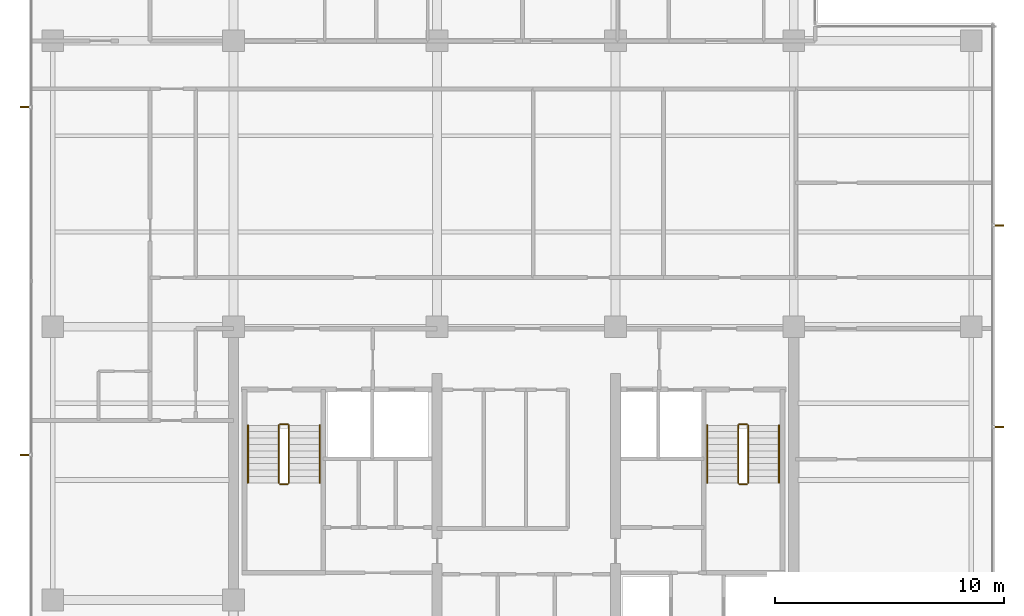
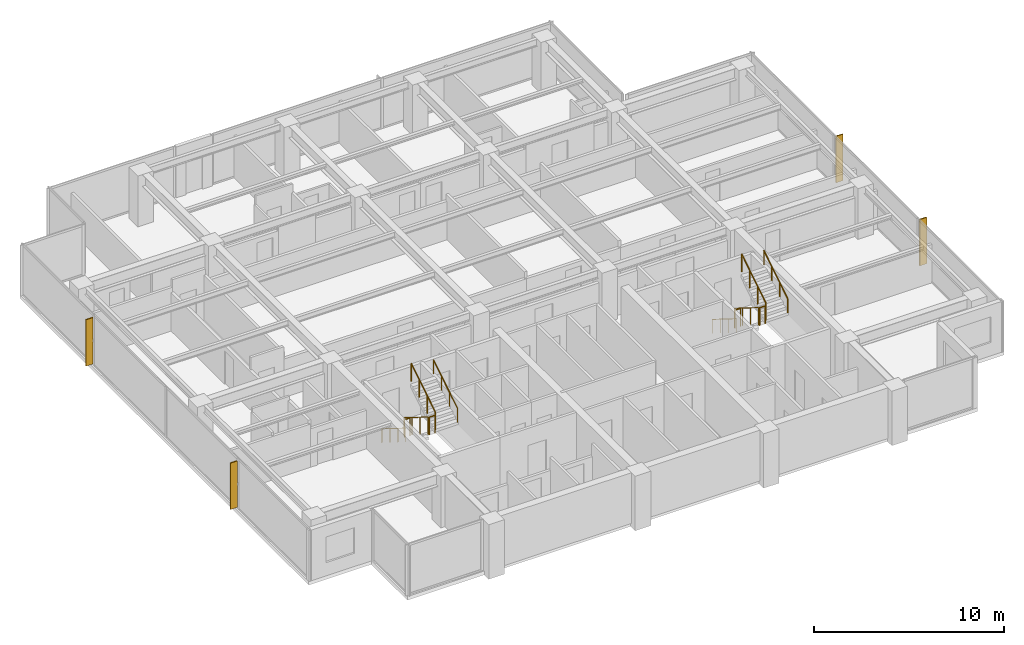
# One storey, part 13 of 14: 12 railings, 4 shading devices.
"""IFC4 building model written with IfcOpenShell, lengths in metres."""

from ifc_helpers import new_model, si_unit, direction, frame, origin, origin_2d, place, context, subcontext, project, spatial, polyline, circle, outline, extrude, material, layer, layer_set, type_object, element, save


model = new_model("IFC4")

# Units and contexts
model_context = context("Model", 3, precision=1e-05, world=origin(), true_north=direction((0.0, 1.0)))
body_context = subcontext(model_context, "Body", "Model", "MODEL_VIEW")
ifc_project = project(units=[si_unit("LENGTHUNIT", "METRE"), si_unit("AREAUNIT", "SQUARE_METRE"), si_unit("VOLUMEUNIT", "CUBIC_METRE"), si_unit("PLANEANGLEUNIT", "RADIAN"), si_unit("MASSUNIT", "GRAM", prefix="KILO")], contexts=[model_context])

# Site, building, storey
site_placement = place(None, origin())
site = spatial("IfcSite", under=ifc_project, at=site_placement, CompositionType="ELEMENT")
building_placement = place(site_placement, origin())
building = spatial("IfcBuilding", under=site, at=building_placement, Name="Qalmaran Belvedere Hotel", CompositionType="ELEMENT")
storey_placement = place(building_placement, frame((0.0, 0.0, 228.39990234375)))
storey = spatial("IfcBuildingStorey", under=building, at=storey_placement, Name="L58", CompositionType="ELEMENT", Elevation=228.39990234375)

# Shading devices
ifc_material_1 = material(Name="Anodised Bronze Aluminium", Category="aluminium")
ifc_layer = layer(ifc_material_1, 0.06494140625, Name="Anodised Bronze Aluminium")
ifc_layer_set = layer_set([ifc_layer], Name="Anodised Bronze Aluminium")
shading_device_type = type_object("IfcShadingDeviceType", Name="FIN-BRNZ-420", PredefinedType="USERDEFINED", material=ifc_layer_set)
shading_device_1_placement = place(storey_placement, frame((0.0, 0.0, 0.16015625)))
element("IfcShadingDevice", 1, at=shading_device_1_placement, inside=storey, type_object=shading_device_type, Name="L58 Bronze Fin 1", ObjectType="FIN", PredefinedType="USERDEFINED", context=body_context, shape_type="SweptSolid", body=[
    extrude(outline(polyline([(53.5673828125, 16.084228515625), (53.987548828125, 16.084228515625), (53.987548828125, 16.149169921875), (53.5673828125, 16.149169921875), (53.5673828125, 16.084228515625)])), origin(), (0.0, 0.0, 1.0), 2.97998046875),
])
shading_device_2_placement = place(storey_placement, frame((0.0, 0.0, 0.16015625)))
element("IfcShadingDevice", 2, at=shading_device_2_placement, inside=storey, type_object=shading_device_type, Name="L58 Bronze Fin 2", ObjectType="FIN", PredefinedType="USERDEFINED", context=body_context, shape_type="SweptSolid", body=[
    extrude(outline(polyline([(53.5673828125, 24.90087890625), (53.987548828125, 24.90087890625), (53.987548828125, 24.9658203125), (53.5673828125, 24.9658203125), (53.5673828125, 24.90087890625)])), origin(), (0.0, 0.0, 1.0), 2.97998046875),
])
shading_device_3_placement = place(storey_placement, frame((0.0, 0.0, 0.16015625)))
element("IfcShadingDevice", 3, at=shading_device_3_placement, inside=storey, type_object=shading_device_type, Name="L58 Bronze Fin 1", ObjectType="FIN", PredefinedType="USERDEFINED", context=body_context, shape_type="SweptSolid", body=[
    extrude(outline(polyline([(11.382568359375, 30.132568359375), (10.96240234375, 30.132568359375), (10.96240234375, 30.0673828125), (11.382568359375, 30.0673828125), (11.382568359375, 30.132568359375)])), origin(), (0.0, 0.0, 1.0), 2.97998046875),
])
shading_device_4_placement = place(storey_placement, frame((0.0, 0.0, 0.16015625)))
element("IfcShadingDevice", 4, at=shading_device_4_placement, inside=storey, type_object=shading_device_type, Name="L58 Bronze Fin 3", ObjectType="FIN", PredefinedType="USERDEFINED", context=body_context, shape_type="SweptSolid", body=[
    extrude(outline(polyline([(11.382568359375, 14.9326171875), (10.96240234375, 14.9326171875), (10.96240234375, 14.867431640625), (11.382568359375, 14.867431640625), (11.382568359375, 14.9326171875)])), origin(), (0.0, 0.0, 1.0), 2.97998046875),
])

# Railings
ifc_material_2 = material(Name="Stainless Steel 1.4401", Category="steel")
railing_type_1 = type_object("IfcRailingType", Name="RLG-STAIR-GUARD-1150", PredefinedType="GUARDRAIL", material=ifc_material_2)
railing_1_placement = place(storey_placement, frame((22.280029296875, 16.18994140625, 0.175048828125)))
element("IfcRailing", 5, at=railing_1_placement, inside=storey, type_object=railing_type_1, Name="L58 ST-1 stair guard 1", PredefinedType="GUARDRAIL", context=body_context, shape_type="SweptSolid", body=[
    extrude(circle(Radius=0.02392578125, at=origin_2d()), frame((0.0, 0.0, 1.1259765625), z_axis=(0.0, -0.848007534815, 0.529984170421), x_axis=(1.0, 0.0, 0.0)), (0.0, 0.0, 1.0), 2.9716796875),
    extrude(circle(Radius=0.02099609375, at=origin_2d()), origin(), (0.0, 0.0, 1.0), 1.101806640625),
    extrude(circle(Radius=0.02099609375, at=origin_2d()), frame((0.0, -0.840087890625, 0.52490234375)), (0.0, 0.0, 1.0), 1.101806640625),
    extrude(circle(Radius=0.02099609375, at=origin_2d()), frame((0.0, -1.679931640625, 1.050048828125)), (0.0, 0.0, 1.0), 1.101806640625),
    extrude(circle(Radius=0.02099609375, at=origin_2d()), frame((0.0, -2.52001953125, 1.574951171875)), (0.0, 0.0, 1.0), 1.101806640625),
])
railing_2_placement = place(storey_placement, frame((22.330078125, 13.6201171875, 1.75)))
element("IfcRailing", 6, at=railing_2_placement, inside=storey, type_object=railing_type_1, Name="L58 ST-1 stair guard 2", PredefinedType="GUARDRAIL", context=body_context, shape_type="SweptSolid", body=[
    extrude(circle(Radius=0.02392578125, at=origin_2d()), frame((0.0, 0.0, 1.1259765625), z_axis=(1.0, 0.0, 0.0), x_axis=(0.0, 1.0, 0.0)), (0.0, 0.0, 1.0), 0.33984375),
    extrude(circle(Radius=0.02099609375, at=origin_2d()), origin(), (0.0, 0.0, 1.0), 1.101806640625),
    extrude(circle(Radius=0.02099609375, at=origin_2d()), frame((0.33984375, 0.0, 0.0)), (0.0, 0.0, 1.0), 1.101806640625),
])
railing_3_placement = place(storey_placement, frame((22.719970703125, 13.669921875, 1.925048828125)))
element("IfcRailing", 7, at=railing_3_placement, inside=storey, type_object=railing_type_1, Name="L58 ST-1 stair guard 3", PredefinedType="GUARDRAIL", context=body_context, shape_type="SweptSolid", body=[
    extrude(circle(Radius=0.02392578125, at=origin_2d()), frame((0.0, 0.0, 1.1259765625), z_axis=(0.0, 0.848007534815, 0.529984170421), x_axis=(-1.0, 0.0, 0.0)), (0.0, 0.0, 1.0), 2.9716796875),
    extrude(circle(Radius=0.02099609375, at=origin_2d()), origin(), (0.0, 0.0, 1.0), 1.101806640625),
    extrude(circle(Radius=0.02099609375, at=origin_2d()), frame((0.0, 0.840087890625, 0.52490234375)), (0.0, 0.0, 1.0), 1.101806640625),
    extrude(circle(Radius=0.02099609375, at=origin_2d()), frame((0.0, 1.679931640625, 1.050048828125)), (0.0, 0.0, 1.0), 1.101806640625),
    extrude(circle(Radius=0.02099609375, at=origin_2d()), frame((0.0, 2.52001953125, 1.574951171875)), (0.0, 0.0, 1.0), 1.101806640625),
])
railing_4_placement = place(storey_placement, frame((22.330078125, 16.239990234375, 0.0)))
element("IfcRailing", 8, at=railing_4_placement, inside=storey, type_object=railing_type_1, Name="L58 ST-1 stair guard 4", PredefinedType="GUARDRAIL", context=body_context, shape_type="SweptSolid", body=[
    extrude(circle(Radius=0.02392578125, at=origin_2d()), frame((0.0, 0.0, 1.1259765625), z_axis=(1.0, 0.0, 0.0), x_axis=(0.0, 1.0, 0.0)), (0.0, 0.0, 1.0), 0.33984375),
    extrude(circle(Radius=0.02099609375, at=origin_2d()), origin(), (0.0, 0.0, 1.0), 1.101806640625),
    extrude(circle(Radius=0.02099609375, at=origin_2d()), frame((0.33984375, 0.0, 0.0)), (0.0, 0.0, 1.0), 1.101806640625),
])
railing_5_placement = place(storey_placement, frame((42.360107421875, 16.18994140625, 0.175048828125)))
element("IfcRailing", 9, at=railing_5_placement, inside=storey, type_object=railing_type_1, Name="L58 ST-2 stair guard 1", PredefinedType="GUARDRAIL", context=body_context, shape_type="SweptSolid", body=[
    extrude(circle(Radius=0.02392578125, at=origin_2d()), frame((0.0, 0.0, 1.1259765625), z_axis=(0.0, -0.848007534815, 0.529984170421), x_axis=(1.0, 0.0, 0.0)), (0.0, 0.0, 1.0), 2.9716796875),
    extrude(circle(Radius=0.02099609375, at=origin_2d()), origin(), (0.0, 0.0, 1.0), 1.101806640625),
    extrude(circle(Radius=0.02099609375, at=origin_2d()), frame((0.0, -0.840087890625, 0.52490234375)), (0.0, 0.0, 1.0), 1.101806640625),
    extrude(circle(Radius=0.02099609375, at=origin_2d()), frame((0.0, -1.679931640625, 1.050048828125)), (0.0, 0.0, 1.0), 1.101806640625),
    extrude(circle(Radius=0.02099609375, at=origin_2d()), frame((0.0, -2.52001953125, 1.574951171875)), (0.0, 0.0, 1.0), 1.101806640625),
])
railing_6_placement = place(storey_placement, frame((42.409912109375, 13.6201171875, 1.75)))
element("IfcRailing", 10, at=railing_6_placement, inside=storey, type_object=railing_type_1, Name="L58 ST-2 stair guard 2", PredefinedType="GUARDRAIL", context=body_context, shape_type="SweptSolid", body=[
    extrude(circle(Radius=0.02392578125, at=origin_2d()), frame((0.0, 0.0, 1.1259765625), z_axis=(1.0, 0.0, 0.0), x_axis=(0.0, 1.0, 0.0)), (0.0, 0.0, 1.0), 0.340087890625),
    extrude(circle(Radius=0.02099609375, at=origin_2d()), origin(), (0.0, 0.0, 1.0), 1.101806640625),
    extrude(circle(Radius=0.02099609375, at=origin_2d()), frame((0.340087890625, 0.0, 0.0)), (0.0, 0.0, 1.0), 1.101806640625),
])
railing_7_placement = place(storey_placement, frame((42.800048828125, 13.669921875, 1.925048828125)))
element("IfcRailing", 11, at=railing_7_placement, inside=storey, type_object=railing_type_1, Name="L58 ST-2 stair guard 3", PredefinedType="GUARDRAIL", context=body_context, shape_type="SweptSolid", body=[
    extrude(circle(Radius=0.02392578125, at=origin_2d()), frame((0.0, 0.0, 1.1259765625), z_axis=(0.0, 0.848007534815, 0.529984170421), x_axis=(-1.0, 0.0, 0.0)), (0.0, 0.0, 1.0), 2.9716796875),
    extrude(circle(Radius=0.02099609375, at=origin_2d()), origin(), (0.0, 0.0, 1.0), 1.101806640625),
    extrude(circle(Radius=0.02099609375, at=origin_2d()), frame((0.0, 0.840087890625, 0.52490234375)), (0.0, 0.0, 1.0), 1.101806640625),
    extrude(circle(Radius=0.02099609375, at=origin_2d()), frame((0.0, 1.679931640625, 1.050048828125)), (0.0, 0.0, 1.0), 1.101806640625),
    extrude(circle(Radius=0.02099609375, at=origin_2d()), frame((0.0, 2.52001953125, 1.574951171875)), (0.0, 0.0, 1.0), 1.101806640625),
])
railing_8_placement = place(storey_placement, frame((42.409912109375, 16.239990234375, 0.0)))
element("IfcRailing", 12, at=railing_8_placement, inside=storey, type_object=railing_type_1, Name="L58 ST-2 stair guard 4", PredefinedType="GUARDRAIL", context=body_context, shape_type="SweptSolid", body=[
    extrude(circle(Radius=0.02392578125, at=origin_2d()), frame((0.0, 0.0, 1.1259765625), z_axis=(1.0, 0.0, 0.0), x_axis=(0.0, 1.0, 0.0)), (0.0, 0.0, 1.0), 0.340087890625),
    extrude(circle(Radius=0.02099609375, at=origin_2d()), origin(), (0.0, 0.0, 1.0), 1.101806640625),
    extrude(circle(Radius=0.02099609375, at=origin_2d()), frame((0.340087890625, 0.0, 0.0)), (0.0, 0.0, 1.0), 1.101806640625),
])
railing_type_2 = type_object("IfcRailingType", Name="RLG-STAIR-HAND-910", PredefinedType="HANDRAIL", material=ifc_material_2)
railing_9_placement = place(storey_placement, frame((20.929931640625, 16.18994140625, 0.175048828125)))
element("IfcRailing", 13, at=railing_9_placement, inside=storey, type_object=railing_type_2, Name="L58 ST-1 stair handrail 1", PredefinedType="HANDRAIL", context=body_context, shape_type="SweptSolid", body=[
    extrude(circle(Radius=0.02392578125, at=origin_2d()), frame((0.0, 0.0, 0.8857421875), z_axis=(0.0, -0.848007534815, 0.529984170421), x_axis=(1.0, 0.0, 0.0)), (0.0, 0.0, 1.0), 2.9716796875),
    extrude(circle(Radius=0.02099609375, at=origin_2d()), origin(), (0.0, 0.0, 1.0), 0.86181640625),
    extrude(circle(Radius=0.02099609375, at=origin_2d()), frame((0.0, -0.840087890625, 0.52490234375)), (0.0, 0.0, 1.0), 0.86181640625),
    extrude(circle(Radius=0.02099609375, at=origin_2d()), frame((0.0, -1.679931640625, 1.050048828125)), (0.0, 0.0, 1.0), 0.86181640625),
    extrude(circle(Radius=0.02099609375, at=origin_2d()), frame((0.0, -2.52001953125, 1.574951171875)), (0.0, 0.0, 1.0), 0.86181640625),
])
railing_10_placement = place(storey_placement, frame((24.070068359375, 13.669921875, 1.925048828125)))
element("IfcRailing", 14, at=railing_10_placement, inside=storey, type_object=railing_type_2, Name="L58 ST-1 stair handrail 2", PredefinedType="HANDRAIL", context=body_context, shape_type="SweptSolid", body=[
    extrude(circle(Radius=0.02392578125, at=origin_2d()), frame((0.0, 0.0, 0.8857421875), z_axis=(0.0, 0.848007534815, 0.529984170421), x_axis=(-1.0, 0.0, 0.0)), (0.0, 0.0, 1.0), 2.9716796875),
    extrude(circle(Radius=0.02099609375, at=origin_2d()), origin(), (0.0, 0.0, 1.0), 0.86181640625),
    extrude(circle(Radius=0.02099609375, at=origin_2d()), frame((0.0, 0.840087890625, 0.52490234375)), (0.0, 0.0, 1.0), 0.86181640625),
    extrude(circle(Radius=0.02099609375, at=origin_2d()), frame((0.0, 1.679931640625, 1.050048828125)), (0.0, 0.0, 1.0), 0.86181640625),
    extrude(circle(Radius=0.02099609375, at=origin_2d()), frame((0.0, 2.52001953125, 1.574951171875)), (0.0, 0.0, 1.0), 0.86181640625),
])
railing_11_placement = place(storey_placement, frame((41.010009765625, 16.18994140625, 0.175048828125)))
element("IfcRailing", 15, at=railing_11_placement, inside=storey, type_object=railing_type_2, Name="L58 ST-2 stair handrail 1", PredefinedType="HANDRAIL", context=body_context, shape_type="SweptSolid", body=[
    extrude(circle(Radius=0.02392578125, at=origin_2d()), frame((0.0, 0.0, 0.8857421875), z_axis=(0.0, -0.848007534815, 0.529984170421), x_axis=(1.0, 0.0, 0.0)), (0.0, 0.0, 1.0), 2.9716796875),
    extrude(circle(Radius=0.02099609375, at=origin_2d()), origin(), (0.0, 0.0, 1.0), 0.86181640625),
    extrude(circle(Radius=0.02099609375, at=origin_2d()), frame((0.0, -0.840087890625, 0.52490234375)), (0.0, 0.0, 1.0), 0.86181640625),
    extrude(circle(Radius=0.02099609375, at=origin_2d()), frame((0.0, -1.679931640625, 1.050048828125)), (0.0, 0.0, 1.0), 0.86181640625),
    extrude(circle(Radius=0.02099609375, at=origin_2d()), frame((0.0, -2.52001953125, 1.574951171875)), (0.0, 0.0, 1.0), 0.86181640625),
])
railing_12_placement = place(storey_placement, frame((44.14990234375, 13.669921875, 1.925048828125)))
element("IfcRailing", 16, at=railing_12_placement, inside=storey, type_object=railing_type_2, Name="L58 ST-2 stair handrail 2", PredefinedType="HANDRAIL", context=body_context, shape_type="SweptSolid", body=[
    extrude(circle(Radius=0.02392578125, at=origin_2d()), frame((0.0, 0.0, 0.8857421875), z_axis=(0.0, 0.848007534815, 0.529984170421), x_axis=(-1.0, 0.0, 0.0)), (0.0, 0.0, 1.0), 2.9716796875),
    extrude(circle(Radius=0.02099609375, at=origin_2d()), origin(), (0.0, 0.0, 1.0), 0.86181640625),
    extrude(circle(Radius=0.02099609375, at=origin_2d()), frame((0.0, 0.840087890625, 0.52490234375)), (0.0, 0.0, 1.0), 0.86181640625),
    extrude(circle(Radius=0.02099609375, at=origin_2d()), frame((0.0, 1.679931640625, 1.050048828125)), (0.0, 0.0, 1.0), 0.86181640625),
    extrude(circle(Radius=0.02099609375, at=origin_2d()), frame((0.0, 2.52001953125, 1.574951171875)), (0.0, 0.0, 1.0), 0.86181640625),
])

save(model, "model.ifc")
